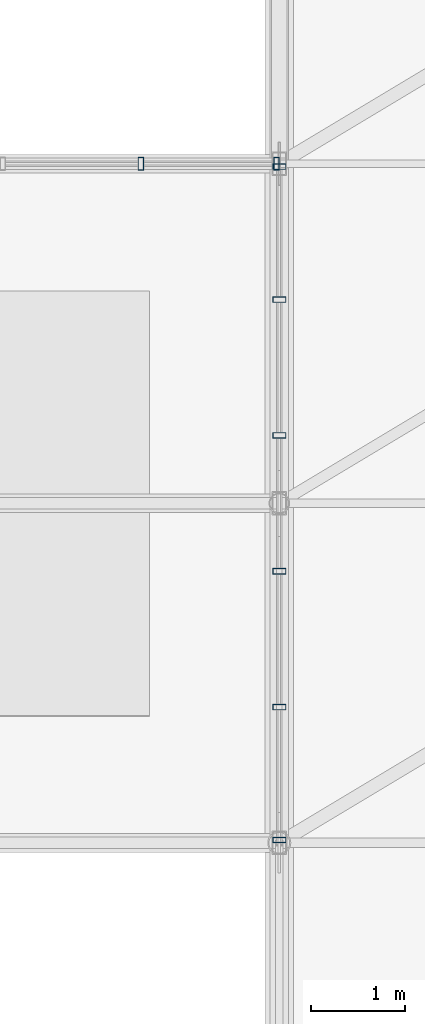
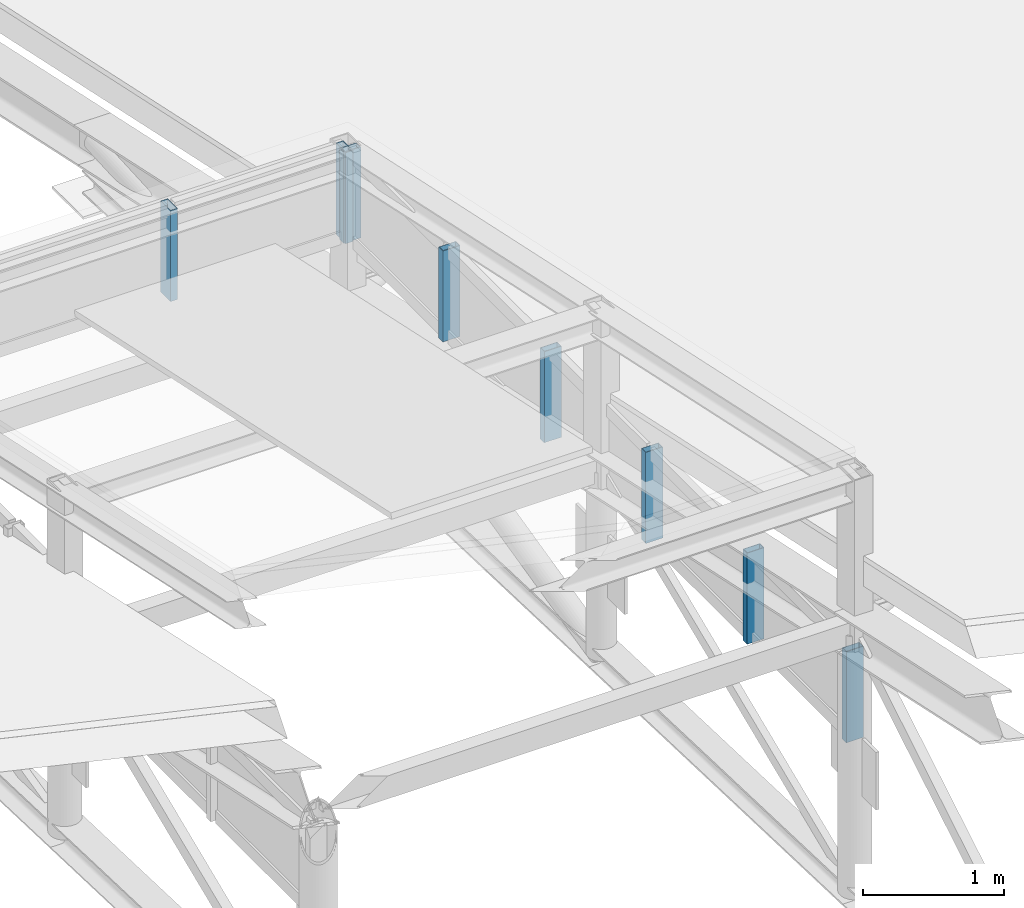
# One storey, part 76 of 124: 8 members, 2 elements without a shape of their own.
"""IFC4 building model written with IfcOpenShell, lengths in metres."""

from ifc_helpers import new_model, si_unit, direction, frame, origin, origin_2d, place, context, subcontext, project, spatial, hollow_rectangle, extrude, material, layer, layer_set, material_profile, profile_set, type_object, element, aggregate, save


model = new_model("IFC4")

# Units and contexts
model_context = context("Model", 3, precision=1e-05, world=origin(), true_north=direction((0.0, 1.0)))
body_context = subcontext(model_context, "Body", "Model", "MODEL_VIEW")
ifc_project = project(units=[si_unit("LENGTHUNIT", "METRE"), si_unit("AREAUNIT", "SQUARE_METRE"), si_unit("VOLUMEUNIT", "CUBIC_METRE"), si_unit("PLANEANGLEUNIT", "RADIAN"), si_unit("MASSUNIT", "GRAM", prefix="KILO"), si_unit("THERMODYNAMICTEMPERATUREUNIT", "KELVIN"), si_unit("POWERUNIT", "WATT")], contexts=[model_context])

# Site, building, storey
site_placement = place(None, origin())
site = spatial("IfcSite", under=ifc_project, at=site_placement, CompositionType="ELEMENT")
building_placement = place(site_placement, origin())
building = spatial("IfcBuilding", under=site, at=building_placement, Name="Tavuni Mirador Residences", CompositionType="ELEMENT")
storey_placement = place(building_placement, frame((0.0, 0.0, 7.64990234375)))
storey = spatial("IfcBuildingStorey", under=building, at=storey_placement, Name="L02", CompositionType="ELEMENT", Elevation=7.64990234375)

# Curtain wall, members
ifc_material = material(Name="Anodised aluminium", Category="aluminium")
ifc_layer = layer(ifc_material, 0.199951171875, Name="Anodised aluminium", Category="aluminium")
ifc_layer_set = layer_set([ifc_layer], Name="Anodised aluminium")
curtain_wall_type = type_object("IfcCurtainWallType", Name="CWT-HAL-01", PredefinedType="NOTDEFINED", material=ifc_layer_set)
curtain_wall_1_placement = place(storey_placement, origin())
curtain_wall_1 = element("IfcCurtainWall", 1, at=curtain_wall_1_placement, inside=storey, type_object=curtain_wall_type, Name="CW-HALL-MON-N3-E", PredefinedType="NOTDEFINED")
ifc_material_profile = material_profile(ifc_material, hollow_rectangle(XDim=0.06005859375, YDim=0.139892578125, WallThickness=0.00390625, at=origin_2d()), Name="ALU 60x140x4.0", Category="aluminium")
ifc_profile_set = profile_set([ifc_material_profile], Name="Anodised aluminium")
member_type = type_object("IfcMemberType", Name="CWM-140", PredefinedType="MULLION", material=ifc_profile_set)
member_1_placement = place(storey_placement, frame((68.39990234375, 90.030029296875, 1.175048828125), z_axis=(0.0, 0.0, 1.0), x_axis=(0.0, 1.0, 0.0)))
member_1 = element("IfcMember", 2, at=member_1_placement, type_object=member_type, Name="CW-06 mullion 1", PredefinedType="MULLION", context=body_context, shape_type="SweptSolid", body=[
    extrude(hollow_rectangle(XDim=0.06005859375, YDim=0.139892578125, WallThickness=0.00390625, at=origin_2d()), origin(), (0.0, 0.0, 1.0), 0.7900390625),
])
member_2_placement = place(storey_placement, frame((68.39990234375, 91.43994140625, 1.175048828125), z_axis=(0.0, 0.0, 1.0), x_axis=(0.0, 1.0, 0.0)))
member_2 = element("IfcMember", 3, at=member_2_placement, type_object=member_type, Name="CW-06 mullion 2", PredefinedType="MULLION", context=body_context, shape_type="SweptSolid", body=[
    extrude(hollow_rectangle(XDim=0.06005859375, YDim=0.139892578125, WallThickness=0.00390625, at=origin_2d()), origin(), (0.0, 0.0, 1.0), 0.7900390625),
])
member_3_placement = place(storey_placement, frame((68.39990234375, 92.8798828125, 1.175048828125), z_axis=(0.0, 0.0, 1.0), x_axis=(0.0, 1.0, 0.0)))
member_3 = element("IfcMember", 4, at=member_3_placement, type_object=member_type, Name="CW-06 mullion 3", PredefinedType="MULLION", context=body_context, shape_type="SweptSolid", body=[
    extrude(hollow_rectangle(XDim=0.06005859375, YDim=0.139892578125, WallThickness=0.00390625, at=origin_2d()), origin(), (0.0, 0.0, 1.0), 0.7900390625),
])
member_4_placement = place(storey_placement, frame((68.39990234375, 94.320068359375, 1.175048828125), z_axis=(0.0, 0.0, 1.0), x_axis=(0.0, 1.0, 0.0)))
member_4 = element("IfcMember", 5, at=member_4_placement, type_object=member_type, Name="CW-06 mullion 4", PredefinedType="MULLION", context=body_context, shape_type="SweptSolid", body=[
    extrude(hollow_rectangle(XDim=0.06005859375, YDim=0.139892578125, WallThickness=0.00390625, at=origin_2d()), origin(), (0.0, 0.0, 1.0), 0.7900390625),
])
member_5_placement = place(storey_placement, frame((68.39990234375, 95.760009765625, 1.175048828125), z_axis=(0.0, 0.0, 1.0), x_axis=(0.0, 1.0, 0.0)))
member_5 = element("IfcMember", 6, at=member_5_placement, type_object=member_type, Name="CW-06 mullion 5", PredefinedType="MULLION", context=body_context, shape_type="SweptSolid", body=[
    extrude(hollow_rectangle(XDim=0.06005859375, YDim=0.139892578125, WallThickness=0.00390625, at=origin_2d()), origin(), (0.0, 0.0, 1.0), 0.7900390625),
])
member_6_placement = place(storey_placement, frame((68.39990234375, 97.169921875, 1.175048828125), z_axis=(0.0, 0.0, 1.0), x_axis=(0.0, 1.0, 0.0)))
member_6 = element("IfcMember", 7, at=member_6_placement, type_object=member_type, Name="CW-06 mullion 6", PredefinedType="MULLION", context=body_context, shape_type="SweptSolid", body=[
    extrude(hollow_rectangle(XDim=0.06005859375, YDim=0.139892578125, WallThickness=0.00390625, at=origin_2d()), origin(), (0.0, 0.0, 1.0), 0.7900390625),
])
aggregate(curtain_wall_1, [member_1, member_2, member_3, member_4, member_5, member_6])

curtain_wall_2_placement = place(storey_placement, origin())
curtain_wall_2 = element("IfcCurtainWall", 8, at=curtain_wall_2_placement, inside=storey, type_object=curtain_wall_type, Name="CW-HALL-MON-N3-END", PredefinedType="NOTDEFINED")
member_7_placement = place(storey_placement, frame((66.933349609375, 97.199951171875, 1.175048828125), z_axis=(0.0, 0.0, 1.0), x_axis=(1.0, 0.0, 0.0)))
member_7 = element("IfcMember", 9, at=member_7_placement, type_object=member_type, Name="CW-06 mullion 3", PredefinedType="MULLION", context=body_context, shape_type="SweptSolid", body=[
    extrude(hollow_rectangle(XDim=0.06005859375, YDim=0.139892578125, WallThickness=0.00390625, at=origin_2d()), origin(), (0.0, 0.0, 1.0), 0.7900390625),
])
member_8_placement = place(storey_placement, frame((68.3701171875, 97.199951171875, 1.175048828125), z_axis=(0.0, 0.0, 1.0), x_axis=(1.0, 0.0, 0.0)))
member_8 = element("IfcMember", 10, at=member_8_placement, type_object=member_type, Name="CW-06 mullion 4", PredefinedType="MULLION", context=body_context, shape_type="SweptSolid", body=[
    extrude(hollow_rectangle(XDim=0.06005859375, YDim=0.139892578125, WallThickness=0.00390625, at=origin_2d()), origin(), (0.0, 0.0, 1.0), 0.7900390625),
])
aggregate(curtain_wall_2, [member_7, member_8])

save(model, "model.ifc")
